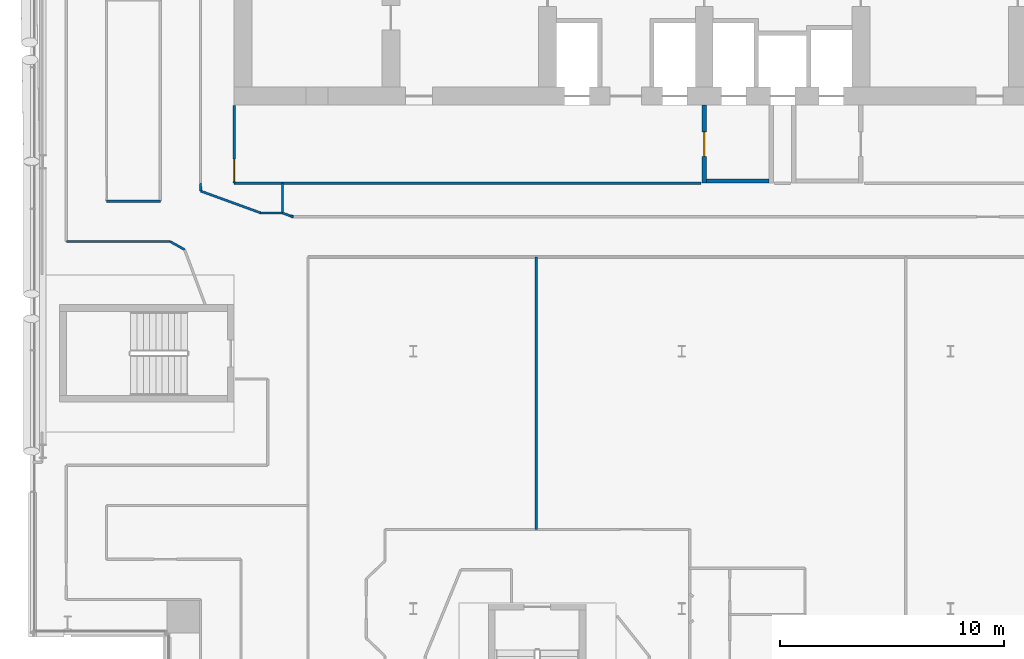
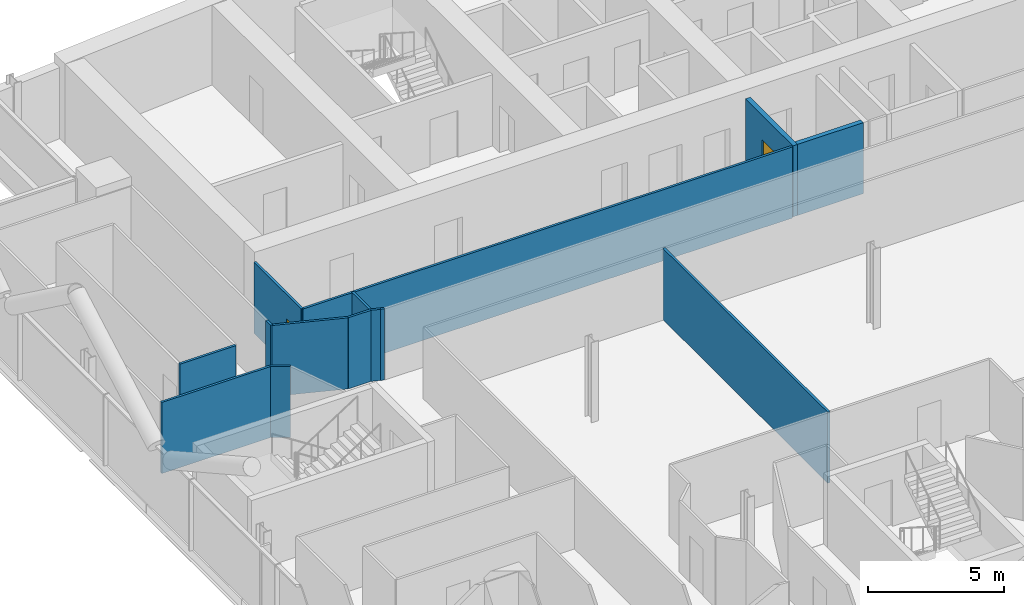
# One storey, part 15 of 28: 14 walls, 2 doors, 2 openings.
"""IFC4 building model written with IfcOpenShell, lengths in metres."""

from ifc_helpers import new_model, si_unit, direction, frame, frame_2d, origin, place, context, subcontext, project, spatial, rectangle, extrude, material, layer, layer_set, type_object, element, fill, save


model = new_model("IFC4")

# Units and contexts
model_context = context("Model", 3, precision=1e-05, world=origin(), true_north=direction((0.0, 1.0)))
body_context = subcontext(model_context, "Body", "Model", "MODEL_VIEW")
ifc_project = project(units=[si_unit("LENGTHUNIT", "METRE"), si_unit("AREAUNIT", "SQUARE_METRE"), si_unit("VOLUMEUNIT", "CUBIC_METRE"), si_unit("PLANEANGLEUNIT", "RADIAN"), si_unit("MASSUNIT", "GRAM", prefix="KILO")], contexts=[model_context])

# Site, building, storey
site_placement = place(None, origin())
site = spatial("IfcSite", under=ifc_project, at=site_placement, CompositionType="ELEMENT")
building_placement = place(site_placement, origin())
building = spatial("IfcBuilding", under=site, at=building_placement, Name="Wharfspan Tower", CompositionType="ELEMENT")
storey_placement = place(building_placement, frame((0.0, 0.0, 187.899902)))
storey = spatial("IfcBuildingStorey", under=building, at=storey_placement, Name="L46", CompositionType="ELEMENT", Elevation=187.899902)

# Walls
ifc_material_1 = material(Name="Gypsum board on steel studs", Category="steel")
ifc_layer_1 = layer(ifc_material_1, 0.100098)
ifc_layer_set_1 = layer_set([ifc_layer_1], Name="Gypsum board on steel studs")
wall_type_1 = type_object("IfcWallType", Name="Compartment wall 100 EI 60", PredefinedType="PARTITIONING", material=ifc_layer_set_1)
wall_1_placement = place(storey_placement, frame((8.5, 27.899902, 0.0), z_axis=(0.0, 0.0, 1.0), x_axis=(1.0, 0.0, 0.0)))
element("IfcWall", 1, at=wall_1_placement, inside=storey, type_object=wall_type_1, Name="Partition L46.w008", PredefinedType="PARTITIONING", context=body_context, shape_type="SweptSolid", body=[
    extrude(rectangle(XDim=4.63501, YDim=0.100098, at=frame_2d((2.317383, 0.0))), origin(), (0.0, 0.0, 1.0), 3.200195),
])
wall_2_placement = place(storey_placement, frame((10.300049, 29.699951, 0.0), z_axis=(0.0, 0.0, 1.0), x_axis=(1.0, 0.0, 0.0)))
element("IfcWall", 2, at=wall_2_placement, inside=storey, type_object=wall_type_1, Name="Partition L46.w014", PredefinedType="PARTITIONING", context=body_context, shape_type="SweptSolid", body=[
    extrude(rectangle(XDim=2.399902, YDim=0.100098, at=frame_2d((1.199951, 0.0))), origin(), (0.0, 0.0, 1.0), 3.200195),
])
wall_3_placement = place(storey_placement, frame((13.784912, 27.534912, 0.0), z_axis=(0.0, 0.0, 1.0), x_axis=(-0.871911, 0.489672, 0.0)))
element("IfcWall", 3, at=wall_3_placement, inside=storey, type_object=wall_type_1, Name="Partition L46.w017", PredefinedType="PARTITIONING", context=body_context, shape_type="SweptSolid", body=[
    extrude(rectangle(XDim=0.745361, YDim=0.100098, at=frame_2d((0.372559, 0.0))), origin(), (0.0, 0.0, 1.0), 3.200195),
])
wall_4_placement = place(storey_placement, frame((14.504883, 30.149902, 0.0), z_axis=(0.0, 0.0, 1.0), x_axis=(-0.013946, 0.999907, 0.0)))
element("IfcWall", 4, at=wall_4_placement, inside=storey, type_object=wall_type_1, Name="Partition L46.w020", PredefinedType="PARTITIONING", context=body_context, shape_type="SweptSolid", body=[
    extrude(rectangle(XDim=0.350098, YDim=0.100098, at=frame_2d((0.175049, 0.0))), origin(), (0.0, 0.0, 1.0), 3.200195),
])

# Wall, opening, door
wall_5_placement = place(storey_placement, frame((16.0, 30.5, 0.0), z_axis=(0.0, 0.0, 1.0), x_axis=(0.0, 1.0, 0.0)))
wall_5 = element("IfcWall", 5, at=wall_5_placement, inside=storey, type_object=wall_type_1, Name="Partition L46.w022", PredefinedType="PARTITIONING", context=body_context, shape_type="SweptSolid", body=[
    extrude(rectangle(XDim=3.47998, YDim=0.100098, at=frame_2d((1.73999, 0.0))), origin(), (0.0, 0.0, 1.0), 3.200195),
])
opening_1_placement = place(wall_5_placement, frame((0.080078, 0.0, 0.0)))
opening_1 = element("IfcOpeningElement", 6, at=opening_1_placement, cuts=wall_5, Name="Opening C5-23", PredefinedType="OPENING", context=body_context, shape_type="SweptSolid", body=[
    extrude(rectangle(XDim=1.0, YDim=2.100098, at=frame_2d((0.5, 1.050049))), frame((0.0, 0.060059, 0.0), z_axis=(0.0, -1.0, 0.0), x_axis=(1.0, 0.0, 0.0)), (0.0, 0.0, 1.0), 0.120117),
])
ifc_material_2 = material(Name="Fire-rated timber door leaf in steel frame", Category="steel")
door_type_1 = type_object("IfcDoorType", Name="Door 1000 FD30S Left", OperationType="SINGLE_SWING_LEFT", PredefinedType="DOOR", material=ifc_material_2)
door_1_placement = place(opening_1_placement, origin())
door_1 = element("IfcDoor", 7, at=door_1_placement, inside=storey, type_object=door_type_1, Name="Door C5-23", OperationType="SINGLE_SWING_LEFT", OverallHeight=2.100098, OverallWidth=1.0, PredefinedType="DOOR", context=body_context, shape_type="SweptSolid", body=[
    extrude(rectangle(XDim=1.0, YDim=2.100098, at=frame_2d((0.5, 1.050049))), frame((0.0, 0.024902, 0.0), z_axis=(0.0, -1.0, 0.0), x_axis=(1.0, 0.0, 0.0)), (0.0, 0.0, 1.0), 0.050049),
])
fill(opening_1, door_1)

# Walls
wall_6_placement = place(storey_placement, frame((16.0, 30.5, 0.0), z_axis=(0.0, 0.0, 1.0), x_axis=(1.0, 0.0, 0.0)))
element("IfcWall", 8, at=wall_6_placement, inside=storey, type_object=wall_type_1, Name="Partition L46.w023", PredefinedType="PARTITIONING", context=body_context, shape_type="SweptSolid", body=[
    extrude(rectangle(XDim=20.850098, YDim=0.100098, at=frame_2d((10.425049, 0.0))), origin(), (0.0, 0.0, 1.0), 3.200195),
])
wall_7_placement = place(storey_placement, frame((17.185059, 29.175049, 0.0), z_axis=(0.0, 0.0, 1.0), x_axis=(1.0, 0.0, 0.0)))
element("IfcWall", 9, at=wall_7_placement, inside=storey, type_object=wall_type_1, Name="Partition L46.w026", PredefinedType="PARTITIONING", context=body_context, shape_type="SweptSolid", body=[
    extrude(rectangle(XDim=0.969971, YDim=0.100098, at=frame_2d((0.484863, 0.0))), origin(), (0.0, 0.0, 1.0), 3.200195),
])
wall_8_placement = place(storey_placement, frame((17.185059, 29.175049, 0.0), z_axis=(0.0, 0.0, 1.0), x_axis=(-0.939764, 0.341818, 0.0)))
element("IfcWall", 10, at=wall_8_placement, inside=storey, type_object=wall_type_1, Name="Partition L46.w027", PredefinedType="PARTITIONING", context=body_context, shape_type="SweptSolid", body=[
    extrude(rectangle(XDim=2.852051, YDim=0.100098, at=frame_2d((1.426025, 0.0))), origin(), (0.0, 0.0, 1.0), 3.200195),
])
wall_9_placement = place(storey_placement, frame((18.155029, 29.179932, 0.0), z_axis=(0.0, 0.0, 1.0), x_axis=(0.0, 1.0, 0.0)))
element("IfcWall", 11, at=wall_9_placement, inside=storey, type_object=wall_type_1, Name="Partition L46.w029", PredefinedType="PARTITIONING", context=body_context, shape_type="SweptSolid", body=[
    extrude(rectangle(XDim=1.320068, YDim=0.100098, at=frame_2d((0.660156, 0.0))), origin(), (0.0, 0.0, 1.0), 3.200195),
])
wall_10_placement = place(storey_placement, frame((18.48999, 29.050049, 0.0), z_axis=(0.0, 0.0, 1.0), x_axis=(-0.939932, 0.341351, 0.0)))
element("IfcWall", 12, at=wall_10_placement, inside=storey, type_object=wall_type_1, Name="Partition L46.w030", PredefinedType="PARTITIONING", context=body_context, shape_type="SweptSolid", body=[
    extrude(rectangle(XDim=0.351074, YDim=0.100098, at=frame_2d((0.175537, 0.0))), origin(), (0.0, 0.0, 1.0), 3.200195),
])
wall_11_placement = place(storey_placement, frame((18.63501, 29.0, 0.0), z_axis=(0.0, 0.0, 1.0), x_axis=(-0.937648, 0.347591, 0.0)))
element("IfcWall", 13, at=wall_11_placement, inside=storey, type_object=wall_type_1, Name="Partition L46.w034", PredefinedType="PARTITIONING", context=body_context, shape_type="SweptSolid", body=[
    extrude(rectangle(XDim=0.144043, YDim=0.100098, at=frame_2d((0.072021, 0.0))), origin(), (0.0, 0.0, 1.0), 3.200195),
])
wall_12_placement = place(storey_placement, frame((29.5, 15.034912, 0.0), z_axis=(0.0, 0.0, 1.0), x_axis=(0.0, 1.0, 0.0)))
element("IfcWall", 14, at=wall_12_placement, inside=storey, type_object=wall_type_1, Name="Partition L46.w052", PredefinedType="PARTITIONING", context=body_context, shape_type="SweptSolid", body=[
    extrude(rectangle(XDim=12.165039, YDim=0.100098, at=frame_2d((6.08252, 0.0))), origin(), (0.0, 0.0, 1.0), 3.200195),
])

# Wall, opening, door
ifc_material_3 = material(Name="Concrete C30/37", Category="concrete")
ifc_layer_2 = layer(ifc_material_3, 0.199951)
ifc_layer_set_2 = layer_set([ifc_layer_2], Name="Concrete C30/37")
wall_type_2 = type_object("IfcWallType", Name="Lobby wall 200", PredefinedType="PARTITIONING", material=ifc_layer_set_2)
wall_13_placement = place(storey_placement, frame((37.0, 30.5, 0.0), z_axis=(0.0, 0.0, 1.0), x_axis=(0.0, 1.0, 0.0)))
wall_13 = element("IfcWall", 15, at=wall_13_placement, inside=storey, type_object=wall_type_2, Name="sw:L46:FLFF1W", PredefinedType="PARTITIONING", context=body_context, shape_type="SweptSolid", body=[
    extrude(rectangle(XDim=3.5, YDim=0.199951, at=frame_2d((1.75, 0.0))), origin(), (0.0, 0.0, 1.0), 3.200195),
])
opening_2_placement = place(wall_13_placement, frame((1.199951, 0.0, 0.0)))
opening_2 = element("IfcOpeningElement", 16, at=opening_2_placement, cuts=wall_13, Name="Opening FL.FF1.L46", PredefinedType="OPENING", context=body_context, shape_type="SweptSolid", body=[
    extrude(rectangle(XDim=1.100098, YDim=2.100098, at=frame_2d((0.550049, 1.050049))), frame((0.0, 0.109863, 0.0), z_axis=(0.0, -1.0, 0.0), x_axis=(1.0, 0.0, 0.0)), (0.0, 0.0, 1.0), 0.219971),
])
ifc_material_4 = material(Name="Steel door leaf", Category="steel")
door_type_2 = type_object("IfcDoorType", Name="Firefighting lobby door 1100x2100", OperationType="SINGLE_SWING_LEFT", PredefinedType="DOOR", material=ifc_material_4)
door_2_placement = place(opening_2_placement, origin())
door_2 = element("IfcDoor", 17, at=door_2_placement, inside=storey, type_object=door_type_2, Name="fd:L46:FF1", OperationType="SINGLE_SWING_LEFT", OverallHeight=2.100098, OverallWidth=1.100098, PredefinedType="DOOR", context=body_context, shape_type="SweptSolid", body=[
    extrude(rectangle(XDim=1.100098, YDim=2.100098, at=frame_2d((0.550049, 1.050049))), frame((0.0, 0.024902, 0.0), z_axis=(0.0, -1.0, 0.0), x_axis=(1.0, 0.0, 0.0)), (0.0, 0.0, 1.0), 0.050049),
])
fill(opening_2, door_2)

# Wall
wall_14_placement = place(storey_placement, frame((37.100098, 30.600098, 0.0), z_axis=(0.0, 0.0, 1.0), x_axis=(1.0, 0.0, 0.0)))
element("IfcWall", 18, at=wall_14_placement, inside=storey, type_object=wall_type_2, Name="sw:L46:FLFF1F", PredefinedType="PARTITIONING", context=body_context, shape_type="SweptSolid", body=[
    extrude(rectangle(XDim=2.799805, YDim=0.199951, at=frame_2d((1.399902, 0.0))), origin(), (0.0, 0.0, 1.0), 3.200195),
])

save(model, "model.ifc")
